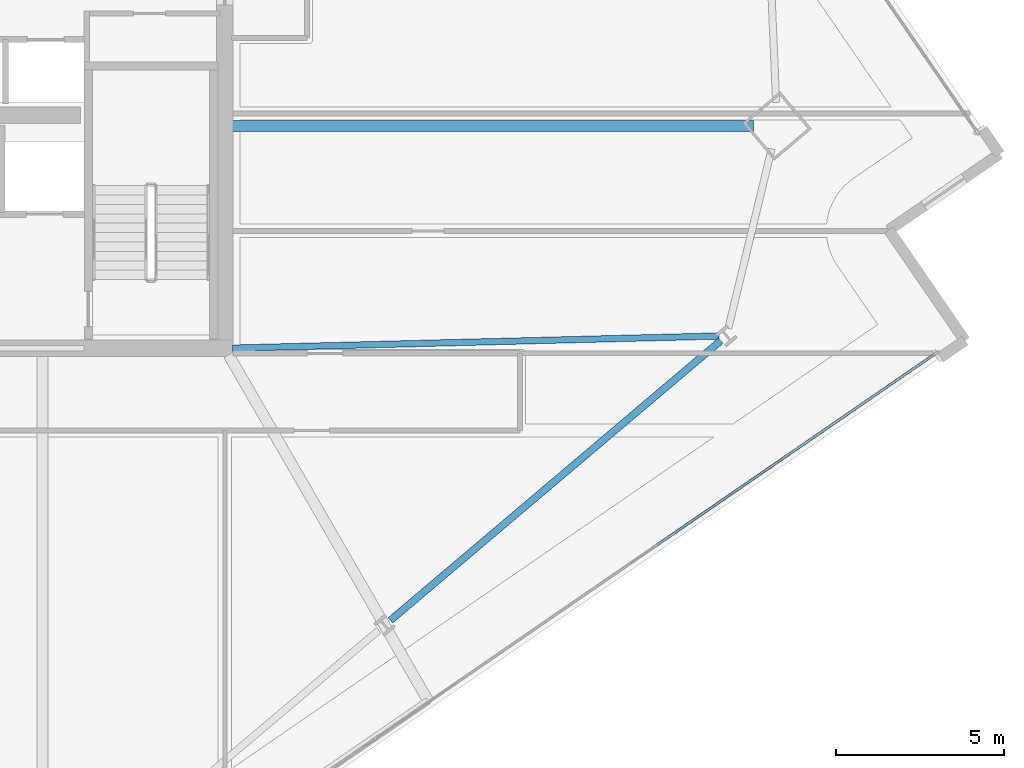
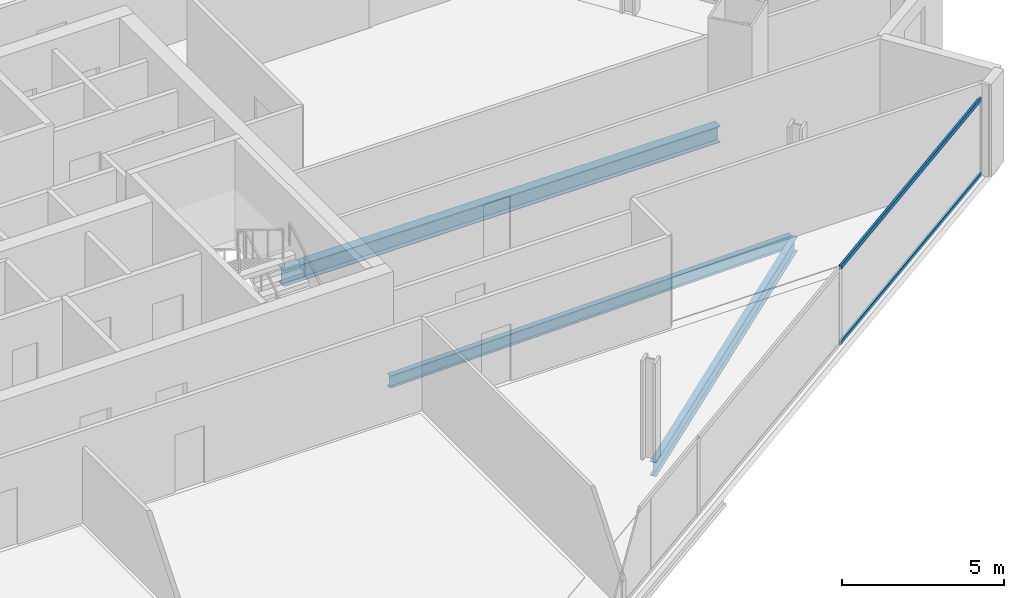
# One storey, part 9 of 29: 3 beams, 2 members, 1 element without a shape of its own.
"""IFC4 building model written with IfcOpenShell, lengths in metres."""

from ifc_helpers import new_model, si_unit, direction, frame, origin, origin_2d, place, context, subcontext, project, spatial, hollow_rectangle, i_section, extrude, material, material_profile, profile_set, type_object, element, aggregate, save


model = new_model("IFC4")

# Units and contexts
model_context = context("Model", 3, precision=1e-05, world=origin(), true_north=direction((0.0, 1.0)))
body_context = subcontext(model_context, "Body", "Model", "MODEL_VIEW")
ifc_project = project(units=[si_unit("LENGTHUNIT", "METRE"), si_unit("AREAUNIT", "SQUARE_METRE"), si_unit("VOLUMEUNIT", "CUBIC_METRE"), si_unit("PLANEANGLEUNIT", "RADIAN"), si_unit("MASSUNIT", "GRAM", prefix="KILO")], contexts=[model_context])

# Site, building, storey
site_placement = place(None, origin())
site = spatial("IfcSite", under=ifc_project, at=site_placement, CompositionType="ELEMENT")
building_placement = place(site_placement, origin())
building = spatial("IfcBuilding", under=site, at=building_placement, Name="Haldenkirk Collegiate Tower", CompositionType="ELEMENT")
storey_placement = place(building_placement, frame((0.0, 0.0, 144.449951171875)))
storey = spatial("IfcBuildingStorey", under=building, at=storey_placement, Name="L35", CompositionType="ELEMENT", Elevation=144.449951171875)

# Beams
ifc_material_1 = material(Name="Steel ASTM A992 Grade 50", Category="steel")
ifc_material_profile_1 = material_profile(ifc_material_1, i_section(OverallWidth=0.324951171875, OverallDepth=0.615966796875, WebThickness=0.013916015625, FlangeThickness=0.021484375, at=origin_2d()), Name="W24X117")
ifc_profile_set_1 = profile_set([ifc_material_profile_1], Name="Steel ASTM A992 Grade 50")
beam_type_1 = type_object("IfcBeamType", Name="BM-GIRDER-W24X117", PredefinedType="BEAM", material=ifc_profile_set_1)
beam_1_placement = place(storey_placement, frame((60.760009765625, 24.62890625, -0.597900390625), z_axis=(-1.0, 0.0, 0.0), x_axis=(0.0, -1.0, 0.0)))
element("IfcBeam", 1, at=beam_1_placement, inside=storey, type_object=beam_type_1, Name="L35 primary floor girder 02", PredefinedType="BEAM", context=body_context, shape_type="SweptSolid", body=[
    extrude(i_section(OverallWidth=0.324951171875, OverallDepth=0.615966796875, WebThickness=0.013916015625, FlangeThickness=0.021484375, at=origin_2d()), origin(), (0.0, 0.0, 1.0), 15.530029296875),
])
ifc_material_profile_2 = material_profile(ifc_material_1, i_section(OverallWidth=0.18994140625, OverallDepth=0.45703125, WebThickness=0.009033203125, FlangeThickness=0.014404296875, at=origin_2d()), Name="W18X50")
ifc_profile_set_2 = profile_set([ifc_material_profile_2], Name="Steel ASTM A992 Grade 50")
beam_type_2 = type_object("IfcBeamType", Name="BM-JOIST-W18X50", PredefinedType="JOIST", material=ifc_profile_set_2)
beam_2_placement = place(storey_placement, frame((59.727294921875, 18.3671875, -0.5185546875), z_axis=(-0.999689127321, -0.024932884215, 0.0), x_axis=(0.024932884215, -0.999689127321, 0.0)))
element("IfcBeam", 2, at=beam_2_placement, inside=storey, type_object=beam_type_2, Name="L35 composite floor joist 07", PredefinedType="JOIST", context=body_context, shape_type="SweptSolid", body=[
    extrude(i_section(OverallWidth=0.18994140625, OverallDepth=0.45703125, WebThickness=0.009033203125, FlangeThickness=0.014404296875, at=origin_2d()), origin(), (0.0, 0.0, 1.0), 14.501708984375),
])
ifc_material_profile_3 = material_profile(ifc_material_1, i_section(OverallWidth=0.2119140625, OverallDepth=0.5439453125, WebThickness=0.01318359375, FlangeThickness=0.021240234375, at=origin_2d()), Name="W21X83")
ifc_profile_set_3 = profile_set([ifc_material_profile_3], Name="Steel ASTM A992 Grade 50")
beam_type_3 = type_object("IfcBeamType", Name="BM-SPANDREL-W21X83", PredefinedType="SPANDREL", material=ifc_profile_set_3)
beam_3_placement = place(storey_placement, frame((49.937255859375, 9.89111328125, -0.56201171875), z_axis=(0.763233335078, 0.646122957514, 0.0), x_axis=(-0.646122957514, 0.763233335078, 0.0)))
element("IfcBeam", 3, at=beam_3_placement, inside=storey, type_object=beam_type_3, Name="L35 perimeter spandrel beam 03", PredefinedType="SPANDREL", context=body_context, shape_type="SweptSolid", body=[
    extrude(i_section(OverallWidth=0.2119140625, OverallDepth=0.5439453125, WebThickness=0.01318359375, FlangeThickness=0.021240234375, at=origin_2d()), origin(), (0.0, 0.0, 1.0), 12.898193359375),
])

# Curtain wall, members
ifc_material_2 = material(Name="Anodised architectural bronze aluminium", Category="aluminium")
curtain_wall_type = type_object("IfcCurtainWallType", Name="CW-SYS2-CONCAVE", PredefinedType="USERDEFINED", material=ifc_material_2)
curtain_wall_placement = place(storey_placement, origin())
curtain_wall = element("IfcCurtainWall", 4, at=curtain_wall_placement, inside=storey, type_object=curtain_wall_type, Name="L35 South concave recessed bronze-anodised curtain wall", ObjectType="UNITISED CURTAIN WALL", PredefinedType="USERDEFINED")
ifc_material_profile_4 = material_profile(ifc_material_2, hollow_rectangle(XDim=0.074951171875, YDim=0.159912109375, WallThickness=0.0048828125, at=origin_2d()), Name="CW-TRN-02")
ifc_profile_set_4 = profile_set([ifc_material_profile_4], Name="Anodised architectural bronze aluminium")
member_type = type_object("IfcMemberType", Name="CW-TRN-02", PredefinedType="USERDEFINED", material=ifc_profile_set_4)
member_1_placement = place(storey_placement, frame((66.15966796875, 17.82470703125, 0.03759765625), z_axis=(-0.824139139892, -0.566387392248, 0.0), x_axis=(0.566387392248, -0.824139139892, 0.0)))
member_1 = element("IfcMember", 5, at=member_1_placement, type_object=member_type, Name="CW-02 transom 1.1", ObjectType="TRANSOM", PredefinedType="USERDEFINED", context=body_context, shape_type="SweptSolid", body=[
    extrude(hollow_rectangle(XDim=0.074951171875, YDim=0.159912109375, WallThickness=0.0048828125, at=origin_2d()), origin(), (0.0, 0.0, 1.0), 10.037353515625),
])
member_2_placement = place(storey_placement, frame((66.15966796875, 17.82470703125, 2.87353515625), z_axis=(-0.824139139892, -0.566387392248, 0.0), x_axis=(0.566387392248, -0.824139139892, 0.0)))
member_2 = element("IfcMember", 6, at=member_2_placement, type_object=member_type, Name="CW-02 transom 1.2", ObjectType="TRANSOM", PredefinedType="USERDEFINED", context=body_context, shape_type="SweptSolid", body=[
    extrude(hollow_rectangle(XDim=0.074951171875, YDim=0.159912109375, WallThickness=0.0048828125, at=origin_2d()), origin(), (0.0, 0.0, 1.0), 10.037353515625),
])
aggregate(curtain_wall, [member_1, member_2])

save(model, "model.ifc")
